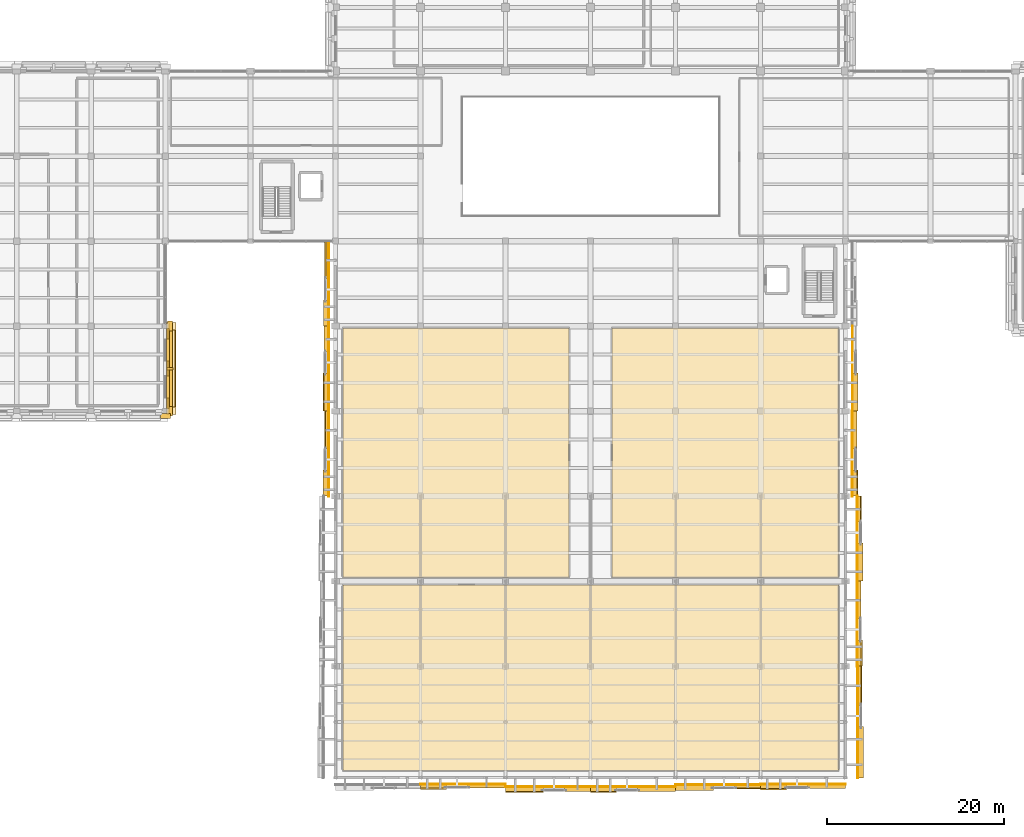
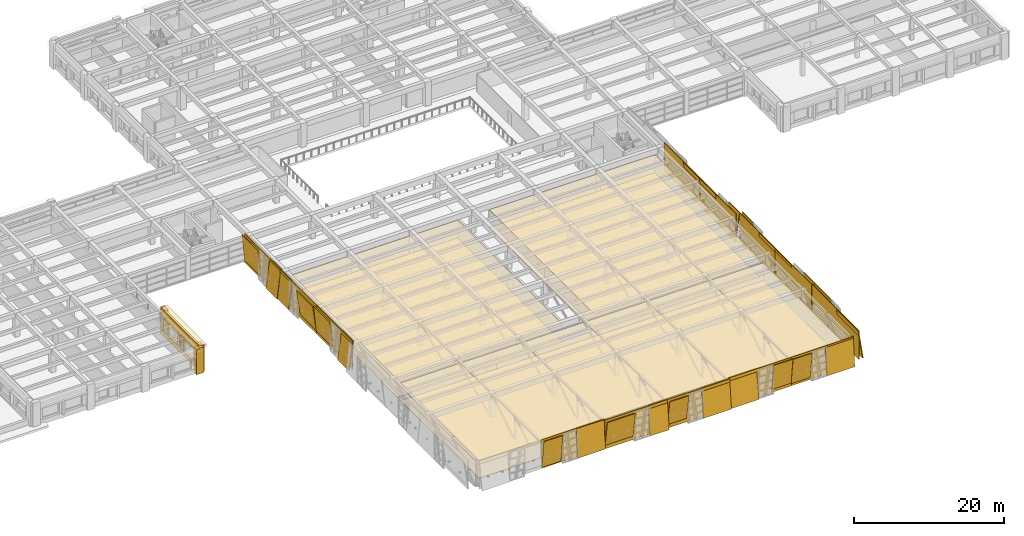
# One storey, part 53 of 62: 55 coverings, 1 shading device.
"""IFC4 building model written with IfcOpenShell, lengths in metres."""

from ifc_helpers import new_model, si_unit, direction, frame, origin, origin_2d, place, context, subcontext, project, spatial, polyline, rectangle, outline, extrude, material, layer, layer_set, type_object, element, save


model = new_model("IFC4")

# Units and contexts
model_context = context("Model", 3, precision=1e-05, world=origin(), true_north=direction((0.0, 1.0)))
body_context = subcontext(model_context, "Body", "Model", "MODEL_VIEW")
ifc_project = project(units=[si_unit("LENGTHUNIT", "METRE"), si_unit("AREAUNIT", "SQUARE_METRE"), si_unit("VOLUMEUNIT", "CUBIC_METRE"), si_unit("PLANEANGLEUNIT", "RADIAN"), si_unit("MASSUNIT", "GRAM", prefix="KILO")], contexts=[model_context])

# Site, building, storey
site_placement = place(None, origin())
site = spatial("IfcSite", under=ifc_project, at=site_placement, CompositionType="ELEMENT")
building_placement = place(site_placement, origin())
building = spatial("IfcBuilding", under=site, at=building_placement, Name="Bempovik Park Faculty of Sciences", CompositionType="ELEMENT")
storey_placement = place(building_placement, frame((0.0, 0.0, 9.89990234375)))
storey = spatial("IfcBuildingStorey", under=building, at=storey_placement, Name="L02", CompositionType="ELEMENT", Elevation=9.89990234375)

# Coverings
ifc_material_1 = material(Name="Acoustic mineral ceiling tile")
ifc_layer_1 = layer(ifc_material_1, 0.0400390625)
ifc_layer_set_1 = layer_set([ifc_layer_1], Name="Acoustic mineral ceiling tile")
covering_type_1 = type_object("IfcCoveringType", Name="CE-01 Acoustic Ceiling 40mm", PredefinedType="CEILING", material=ifc_layer_set_1)
covering_1_placement = place(storey_placement, frame((0.0, 0.0, 2.880126953125)))
element("IfcCovering", 1, at=covering_1_placement, inside=storey, type_object=covering_type_1, Name="L02 Cantilevered Park-View Learning Commons Acoustic Ceiling", PredefinedType="CEILING", context=body_context, shape_type="SweptSolid", body=[
    extrude(outline(polyline([(60.830078125, 8.030029296875), (116.77001953125, 8.030029296875), (116.77001953125, 28.969970703125), (60.830078125, 28.969970703125), (60.830078125, 8.030029296875)])), origin(), (0.0, 0.0, 1.0), 0.0400390625),
])
covering_2_placement = place(storey_placement, frame((0.0, 0.0, 2.880126953125)))
element("IfcCovering", 2, at=covering_2_placement, inside=storey, type_object=covering_type_1, Name="L02 Digital Science Reading Commons West Acoustic Ceiling", PredefinedType="CEILING", context=body_context, shape_type="SweptSolid", body=[
    extrude(outline(polyline([(60.830078125, 29.830078125), (86.3701171875, 29.830078125), (86.3701171875, 57.969970703125), (60.830078125, 57.969970703125), (60.830078125, 29.830078125)])), origin(), (0.0, 0.0, 1.0), 0.0400390625),
])
covering_3_placement = place(storey_placement, frame((0.0, 0.0, 2.880126953125)))
element("IfcCovering", 3, at=covering_3_placement, inside=storey, type_object=covering_type_1, Name="L02 Collaborative Study Commons East Acoustic Ceiling", PredefinedType="CEILING", context=body_context, shape_type="SweptSolid", body=[
    extrude(outline(polyline([(91.22998046875, 29.830078125), (116.77001953125, 29.830078125), (116.77001953125, 57.969970703125), (91.22998046875, 57.969970703125), (91.22998046875, 29.830078125)])), origin(), (0.0, 0.0, 1.0), 0.0400390625),
])
ifc_material_2 = material(Name="White reconstituted limestone precast C40/50", Category="masonry")
ifc_layer_2 = layer(ifc_material_2, 0.1201171875)
ifc_layer_set_2 = layer_set([ifc_layer_2], Name="White reconstituted limestone precast C40/50")
covering_type_2 = type_object("IfcCoveringType", Name="CL-01 Crystal Limestone Facet 120mm", PredefinedType="CLADDING", material=ifc_layer_set_2)
covering_4_placement = place(storey_placement, frame((118.96044921875, 13.5, -0.419921875), z_axis=(0.0, 0.0, 1.0), x_axis=(1.0, 0.0, 0.0)))
element("IfcCovering", 4, at=covering_4_placement, inside=storey, type_object=covering_type_2, Name="L02 White Crystal Seam Backing 1176-72", PredefinedType="CLADDING", context=body_context, shape_type="SweptSolid", body=[
    extrude(rectangle(XDim=0.10009765625, YDim=12.679931640625, at=origin_2d()), origin(), (0.0, 0.0, 1.0), 4.659912109375),
])
covering_5_placement = place(storey_placement, frame((119.540771484375, 10.097412109375, -0.394775390625), z_axis=(-0.146083028562, 0.0, 0.989272332963), x_axis=(0.0, 1.0, 0.0)))
element("IfcCovering", 5, at=covering_5_placement, inside=storey, type_object=covering_type_2, Name="L02 Tilted Crystal Limestone Facet FAC-CRYS-L02-1176-72", PredefinedType="CLADDING", context=body_context, shape_type="SweptSolid", body=[
    extrude(rectangle(XDim=5.794921875, YDim=0.139892578125, at=origin_2d()), origin(), (0.0, 0.0, 1.0), 4.659912109375),
])
covering_6_placement = place(storey_placement, frame((118.884765625, 17.577392578125, -0.40576171875), z_axis=(0.109734311091, 0.0, 0.993960955455), x_axis=(0.0, 1.0, 0.0)))
element("IfcCovering", 6, at=covering_6_placement, inside=storey, type_object=covering_type_2, Name="L02 Counter-Tilted Crystal Facet FAC-CRYS-L02-1176-72-R", PredefinedType="CLADDING", context=body_context, shape_type="SweptSolid", body=[
    extrude(rectangle(XDim=4.445068359375, YDim=0.139892578125, at=origin_2d()), origin(), (0.0, 0.0, 1.0), 4.659912109375),
])
covering_7_placement = place(storey_placement, frame((118.89599609375, 24.60009765625, -0.419921875), z_axis=(0.0, 0.0, 1.0), x_axis=(1.0, 0.0, 0.0)))
element("IfcCovering", 7, at=covering_7_placement, inside=storey, type_object=covering_type_2, Name="L02 White Crystal Seam Backing 1176-198", PredefinedType="CLADDING", context=body_context, shape_type="SweptSolid", body=[
    extrude(rectangle(XDim=0.10009765625, YDim=9.679931640625, at=origin_2d()), origin(), (0.0, 0.0, 1.0), 4.659912109375),
])
covering_8_placement = place(storey_placement, frame((118.860107421875, 21.2724609375, -0.4033203125), z_axis=(0.118403968307, 0.0, 0.992965508107), x_axis=(0.0, 1.0, 0.0)))
element("IfcCovering", 8, at=covering_8_placement, inside=storey, type_object=covering_type_2, Name="L02 Tilted Crystal Limestone Facet FAC-CRYS-L02-1176-198", PredefinedType="CLADDING", context=body_context, shape_type="SweptSolid", body=[
    extrude(rectangle(XDim=2.945068359375, YDim=0.139892578125, at=origin_2d()), origin(), (0.0, 0.0, 1.0), 4.659912109375),
])
covering_9_placement = place(storey_placement, frame((119.282958984375, 27.25244140625, -0.41064453125), z_axis=(-0.088894296866, 0.0, 0.996041065411), x_axis=(0.0, 1.0, 0.0)))
element("IfcCovering", 9, at=covering_9_placement, inside=storey, type_object=covering_type_2, Name="L02 Counter-Tilted Crystal Facet FAC-CRYS-L02-1176-198-R", PredefinedType="CLADDING", context=body_context, shape_type="SweptSolid", body=[
    extrude(rectangle(XDim=4.294921875, YDim=0.139892578125, at=origin_2d()), origin(), (0.0, 0.0, 1.0), 4.659912109375),
])
covering_10_placement = place(storey_placement, frame((118.92822265625, 34.199951171875, -0.419921875), z_axis=(0.0, 0.0, 1.0), x_axis=(1.0, 0.0, 0.0)))
element("IfcCovering", 10, at=covering_10_placement, inside=storey, type_object=covering_type_2, Name="L02 White Crystal Seam Backing 1176-294", PredefinedType="CLADDING", context=body_context, shape_type="SweptSolid", body=[
    extrude(rectangle(XDim=0.10009765625, YDim=9.679931640625, at=origin_2d()), origin(), (0.0, 0.0, 1.0), 4.659912109375),
])
covering_11_placement = place(storey_placement, frame((119.476318359375, 31.547607421875, -0.3994140625), z_axis=(-0.132256390257, 0.0, 0.991215540252), x_axis=(0.0, 1.0, 0.0)))
element("IfcCovering", 11, at=covering_11_placement, inside=storey, type_object=covering_type_2, Name="L02 Tilted Crystal Limestone Facet FAC-CRYS-L02-1176-294", PredefinedType="CLADDING", context=body_context, shape_type="SweptSolid", body=[
    extrude(rectangle(XDim=4.294921875, YDim=0.139892578125, at=origin_2d()), origin(), (0.0, 0.0, 1.0), 4.659912109375),
])
covering_12_placement = place(storey_placement, frame((118.876708984375, 37.527587890625, -0.408203125), z_axis=(0.099319749744, 0.0, 0.995055569961), x_axis=(0.0, 1.0, 0.0)))
element("IfcCovering", 12, at=covering_12_placement, inside=storey, type_object=covering_type_2, Name="L02 Counter-Tilted Crystal Facet FAC-CRYS-L02-1176-294-R", PredefinedType="CLADDING", context=body_context, shape_type="SweptSolid", body=[
    extrude(rectangle(XDim=2.945068359375, YDim=0.139892578125, at=origin_2d()), origin(), (0.0, 0.0, 1.0), 4.659912109375),
])
covering_13_placement = place(storey_placement, frame((118.3642578125, 43.800048828125, -0.419921875), z_axis=(0.0, 0.0, 1.0), x_axis=(1.0, 0.0, 0.0)))
element("IfcCovering", 13, at=covering_13_placement, inside=storey, type_object=covering_type_2, Name="L02 White Crystal Seam Backing 1176-390", PredefinedType="CLADDING", context=body_context, shape_type="SweptSolid", body=[
    extrude(rectangle(XDim=0.10009765625, YDim=9.679931640625, at=origin_2d()), origin(), (0.0, 0.0, 1.0), 4.659912109375),
])
covering_14_placement = place(storey_placement, frame((118.280029296875, 40.472412109375, -0.397216796875), z_axis=(0.13917310096, 0.0, 0.990268068742), x_axis=(0.0, 1.0, 0.0)))
element("IfcCovering", 14, at=covering_14_placement, inside=storey, type_object=covering_type_2, Name="L02 Tilted Crystal Limestone Facet FAC-CRYS-L02-1176-390", PredefinedType="CLADDING", context=body_context, shape_type="SweptSolid", body=[
    extrude(rectangle(XDim=2.945068359375, YDim=0.139892578125, at=origin_2d()), origin(), (0.0, 0.0, 1.0), 4.659912109375),
])
covering_15_placement = place(storey_placement, frame((118.787841796875, 46.452392578125, -0.406982421875), z_axis=(-0.104528463268, 0.0, 0.994521895368), x_axis=(0.0, 1.0, 0.0)))
element("IfcCovering", 15, at=covering_15_placement, inside=storey, type_object=covering_type_2, Name="L02 Counter-Tilted Crystal Facet FAC-CRYS-L02-1176-390-R", PredefinedType="CLADDING", context=body_context, shape_type="SweptSolid", body=[
    extrude(rectangle(XDim=4.294921875, YDim=0.139892578125, at=origin_2d()), origin(), (0.0, 0.0, 1.0), 4.659912109375),
])
covering_16_placement = place(storey_placement, frame((118.372314453125, 53.39990234375, -0.419921875), z_axis=(0.0, 0.0, 1.0), x_axis=(1.0, 0.0, 0.0)))
element("IfcCovering", 16, at=covering_16_placement, inside=storey, type_object=covering_type_2, Name="L02 White Crystal Seam Backing 1176-486", PredefinedType="CLADDING", context=body_context, shape_type="SweptSolid", body=[
    extrude(rectangle(XDim=0.10009765625, YDim=9.679931640625, at=origin_2d()), origin(), (0.0, 0.0, 1.0), 4.659912109375),
])
covering_17_placement = place(storey_placement, frame((118.944580078125, 50.74755859375, -0.39599609375), z_axis=(-0.142628933706, 0.0, 0.989776230908), x_axis=(0.0, 1.0, 0.0)))
element("IfcCovering", 17, at=covering_17_placement, inside=storey, type_object=covering_type_2, Name="L02 Tilted Crystal Limestone Facet FAC-CRYS-L02-1176-486", PredefinedType="CLADDING", context=body_context, shape_type="SweptSolid", body=[
    extrude(rectangle(XDim=4.294921875, YDim=0.139892578125, at=origin_2d()), origin(), (0.0, 0.0, 1.0), 4.659912109375),
])
covering_18_placement = place(storey_placement, frame((74.39990234375, 6.484130859375, -0.419921875), z_axis=(0.0, 0.0, 1.0), x_axis=(1.0, 0.0, 0.0)))
element("IfcCovering", 18, at=covering_18_placement, inside=storey, type_object=covering_type_2, Name="L02 White Crystal Seam Backing 72-696", PredefinedType="CLADDING", context=body_context, shape_type="SweptSolid", body=[
    extrude(rectangle(XDim=9.679931640625, YDim=0.10009765625, at=origin_2d()), origin(), (0.0, 0.0, 1.0), 4.659912109375),
])
covering_19_placement = place(storey_placement, frame((71.072509765625, 6.52001953125, -0.4033203125), z_axis=(0.0, -0.118403968307, 0.992965508107), x_axis=(1.0, 0.0, 0.0)))
element("IfcCovering", 19, at=covering_19_placement, inside=storey, type_object=covering_type_2, Name="L02 Tilted Crystal Limestone Facet FAC-CRYS-L02-72-696", PredefinedType="CLADDING", context=body_context, shape_type="SweptSolid", body=[
    extrude(rectangle(XDim=2.945068359375, YDim=0.139892578125, at=origin_2d()), origin(), (0.0, 0.0, 1.0), 4.659912109375),
])
covering_20_placement = place(storey_placement, frame((77.052490234375, 6.09716796875, -0.41064453125), z_axis=(0.0, 0.088894296866, 0.996041065411), x_axis=(1.0, 0.0, 0.0)))
element("IfcCovering", 20, at=covering_20_placement, inside=storey, type_object=covering_type_2, Name="L02 Counter-Tilted Crystal Facet FAC-CRYS-L02-72-696-R", PredefinedType="CLADDING", context=body_context, shape_type="SweptSolid", body=[
    extrude(rectangle(XDim=4.294921875, YDim=0.139892578125, at=origin_2d()), origin(), (0.0, 0.0, 1.0), 4.659912109375),
])
covering_21_placement = place(storey_placement, frame((84.0, 6.1796875, -0.419921875), z_axis=(0.0, 0.0, 1.0), x_axis=(1.0, 0.0, 0.0)))
element("IfcCovering", 21, at=covering_21_placement, inside=storey, type_object=covering_type_2, Name="L02 White Crystal Seam Backing 72-792", PredefinedType="CLADDING", context=body_context, shape_type="SweptSolid", body=[
    extrude(rectangle(XDim=9.679931640625, YDim=0.10009765625, at=origin_2d()), origin(), (0.0, 0.0, 1.0), 4.659912109375),
])
covering_22_placement = place(storey_placement, frame((81.347412109375, 6.280029296875, -0.394775390625), z_axis=(0.0, -0.146083028562, 0.989272332963), x_axis=(1.0, 0.0, 0.0)))
element("IfcCovering", 22, at=covering_22_placement, inside=storey, type_object=covering_type_2, Name="L02 Tilted Crystal Limestone Facet FAC-CRYS-L02-72-792", PredefinedType="CLADDING", context=body_context, shape_type="SweptSolid", body=[
    extrude(rectangle(XDim=4.294921875, YDim=0.139892578125, at=origin_2d()), origin(), (0.0, 0.0, 1.0), 4.659912109375),
])
covering_23_placement = place(storey_placement, frame((87.327392578125, 5.743896484375, -0.40576171875), z_axis=(0.0, 0.109734311091, 0.993960955455), x_axis=(1.0, 0.0, 0.0)))
element("IfcCovering", 23, at=covering_23_placement, inside=storey, type_object=covering_type_2, Name="L02 Counter-Tilted Crystal Facet FAC-CRYS-L02-72-792-R", PredefinedType="CLADDING", context=body_context, shape_type="SweptSolid", body=[
    extrude(rectangle(XDim=2.945068359375, YDim=0.139892578125, at=origin_2d()), origin(), (0.0, 0.0, 1.0), 4.659912109375),
])
covering_24_placement = place(storey_placement, frame((93.60009765625, 6.1796875, -0.419921875), z_axis=(0.0, 0.0, 1.0), x_axis=(1.0, 0.0, 0.0)))
element("IfcCovering", 24, at=covering_24_placement, inside=storey, type_object=covering_type_2, Name="L02 White Crystal Seam Backing 72-888", PredefinedType="CLADDING", context=body_context, shape_type="SweptSolid", body=[
    extrude(rectangle(XDim=9.679931640625, YDim=0.10009765625, at=origin_2d()), origin(), (0.0, 0.0, 1.0), 4.659912109375),
])
covering_25_placement = place(storey_placement, frame((90.2724609375, 6.280029296875, -0.394775390625), z_axis=(0.0, -0.146083028562, 0.989272332963), x_axis=(1.0, 0.0, 0.0)))
element("IfcCovering", 25, at=covering_25_placement, inside=storey, type_object=covering_type_2, Name="L02 Tilted Crystal Limestone Facet FAC-CRYS-L02-72-888", PredefinedType="CLADDING", context=body_context, shape_type="SweptSolid", body=[
    extrude(rectangle(XDim=2.945068359375, YDim=0.139892578125, at=origin_2d()), origin(), (0.0, 0.0, 1.0), 4.659912109375),
])
covering_26_placement = place(storey_placement, frame((96.25244140625, 5.743896484375, -0.40576171875), z_axis=(0.0, 0.109734311091, 0.993960955455), x_axis=(1.0, 0.0, 0.0)))
element("IfcCovering", 26, at=covering_26_placement, inside=storey, type_object=covering_type_2, Name="L02 Counter-Tilted Crystal Facet FAC-CRYS-L02-72-888-R", PredefinedType="CLADDING", context=body_context, shape_type="SweptSolid", body=[
    extrude(rectangle(XDim=4.294921875, YDim=0.139892578125, at=origin_2d()), origin(), (0.0, 0.0, 1.0), 4.659912109375),
])
covering_27_placement = place(storey_placement, frame((103.199951171875, 6.427734375, -0.419921875), z_axis=(0.0, 0.0, 1.0), x_axis=(1.0, 0.0, 0.0)))
element("IfcCovering", 27, at=covering_27_placement, inside=storey, type_object=covering_type_2, Name="L02 White Crystal Seam Backing 72-984", PredefinedType="CLADDING", context=body_context, shape_type="SweptSolid", body=[
    extrude(rectangle(XDim=9.679931640625, YDim=0.10009765625, at=origin_2d()), origin(), (0.0, 0.0, 1.0), 4.659912109375),
])
covering_28_placement = place(storey_placement, frame((100.547607421875, 5.85546875, -0.39599609375), z_axis=(0.0, 0.142628933706, 0.989776230908), x_axis=(1.0, 0.0, 0.0)))
element("IfcCovering", 28, at=covering_28_placement, inside=storey, type_object=covering_type_2, Name="L02 Tilted Crystal Limestone Facet FAC-CRYS-L02-72-984", PredefinedType="CLADDING", context=body_context, shape_type="SweptSolid", body=[
    extrude(rectangle(XDim=4.294921875, YDim=0.139892578125, at=origin_2d()), origin(), (0.0, 0.0, 1.0), 4.659912109375),
])
covering_29_placement = place(storey_placement, frame((106.527587890625, 6.497314453125, -0.406494140625), z_axis=(0.0, -0.107131754314, 0.994244832633), x_axis=(1.0, 0.0, 0.0)))
element("IfcCovering", 29, at=covering_29_placement, inside=storey, type_object=covering_type_2, Name="L02 Counter-Tilted Crystal Facet FAC-CRYS-L02-72-984-R", PredefinedType="CLADDING", context=body_context, shape_type="SweptSolid", body=[
    extrude(rectangle(XDim=2.945068359375, YDim=0.139892578125, at=origin_2d()), origin(), (0.0, 0.0, 1.0), 4.659912109375),
])
covering_30_placement = place(storey_placement, frame((112.800048828125, 6.4599609375, -0.419921875), z_axis=(0.0, 0.0, 1.0), x_axis=(1.0, 0.0, 0.0)))
element("IfcCovering", 30, at=covering_30_placement, inside=storey, type_object=covering_type_2, Name="L02 White Crystal Seam Backing 72-1080", PredefinedType="CLADDING", context=body_context, shape_type="SweptSolid", body=[
    extrude(rectangle(XDim=9.679931640625, YDim=0.10009765625, at=origin_2d()), origin(), (0.0, 0.0, 1.0), 4.659912109375),
])
covering_31_placement = place(storey_placement, frame((109.472412109375, 6.52001953125, -0.400390625), z_axis=(0.0, -0.128795596578, 0.991671162383), x_axis=(1.0, 0.0, 0.0)))
element("IfcCovering", 31, at=covering_31_placement, inside=storey, type_object=covering_type_2, Name="L02 Tilted Crystal Limestone Facet FAC-CRYS-L02-72-1080", PredefinedType="CLADDING", context=body_context, shape_type="SweptSolid", body=[
    extrude(rectangle(XDim=2.945068359375, YDim=0.139892578125, at=origin_2d()), origin(), (0.0, 0.0, 1.0), 4.659912109375),
])
covering_32_placement = place(storey_placement, frame((115.452392578125, 6.054443359375, -0.408935546875), z_axis=(0.0, 0.096714362966, 0.995312178161), x_axis=(1.0, 0.0, 0.0)))
element("IfcCovering", 32, at=covering_32_placement, inside=storey, type_object=covering_type_2, Name="L02 Counter-Tilted Crystal Facet FAC-CRYS-L02-72-1080-R", PredefinedType="CLADDING", context=body_context, shape_type="SweptSolid", body=[
    extrude(rectangle(XDim=4.294921875, YDim=0.139892578125, at=origin_2d()), origin(), (0.0, 0.0, 1.0), 4.659912109375),
])
covering_33_placement = place(storey_placement, frame((59.235595703125, 43.800048828125, -0.419921875), z_axis=(0.0, 0.0, 1.0), x_axis=(1.0, 0.0, 0.0)))
element("IfcCovering", 33, at=covering_33_placement, inside=storey, type_object=covering_type_2, Name="L02 White Crystal Seam Backing 600-390", PredefinedType="CLADDING", context=body_context, shape_type="SweptSolid", body=[
    extrude(rectangle(XDim=0.10009765625, YDim=9.679931640625, at=origin_2d()), origin(), (0.0, 0.0, 1.0), 4.659912109375),
])
covering_34_placement = place(storey_placement, frame((58.67138671875, 40.472412109375, -0.397216796875), z_axis=(0.13917310096, 0.0, 0.990268068742), x_axis=(0.0, 1.0, 0.0)))
element("IfcCovering", 34, at=covering_34_placement, inside=storey, type_object=covering_type_2, Name="L02 Tilted Crystal Limestone Facet FAC-CRYS-L02-600-390", PredefinedType="CLADDING", context=body_context, shape_type="SweptSolid", body=[
    extrude(rectangle(XDim=2.945068359375, YDim=0.139892578125, at=origin_2d()), origin(), (0.0, 0.0, 1.0), 4.659912109375),
])
covering_35_placement = place(storey_placement, frame((59.29931640625, 46.452392578125, -0.406982421875), z_axis=(-0.104528463268, 0.0, 0.994521895368), x_axis=(0.0, 1.0, 0.0)))
element("IfcCovering", 35, at=covering_35_placement, inside=storey, type_object=covering_type_2, Name="L02 Counter-Tilted Crystal Facet FAC-CRYS-L02-600-390-R", PredefinedType="CLADDING", context=body_context, shape_type="SweptSolid", body=[
    extrude(rectangle(XDim=4.294921875, YDim=0.139892578125, at=origin_2d()), origin(), (0.0, 0.0, 1.0), 4.659912109375),
])
covering_36_placement = place(storey_placement, frame((59.227783203125, 53.39990234375, -0.419921875), z_axis=(0.0, 0.0, 1.0), x_axis=(1.0, 0.0, 0.0)))
element("IfcCovering", 36, at=covering_36_placement, inside=storey, type_object=covering_type_2, Name="L02 White Crystal Seam Backing 600-486", PredefinedType="CLADDING", context=body_context, shape_type="SweptSolid", body=[
    extrude(rectangle(XDim=0.10009765625, YDim=9.679931640625, at=origin_2d()), origin(), (0.0, 0.0, 1.0), 4.659912109375),
])
covering_37_placement = place(storey_placement, frame((59.320068359375, 50.74755859375, -0.39599609375), z_axis=(-0.142628933706, 0.0, 0.989776230908), x_axis=(0.0, 1.0, 0.0)))
element("IfcCovering", 37, at=covering_37_placement, inside=storey, type_object=covering_type_2, Name="L02 Tilted Crystal Limestone Facet FAC-CRYS-L02-600-486", PredefinedType="CLADDING", context=body_context, shape_type="SweptSolid", body=[
    extrude(rectangle(XDim=4.294921875, YDim=0.139892578125, at=origin_2d()), origin(), (0.0, 0.0, 1.0), 4.659912109375),
])
covering_38_placement = place(storey_placement, frame((58.798095703125, 56.7275390625, -0.406494140625), z_axis=(0.107131754314, 0.0, 0.994244832633), x_axis=(0.0, 1.0, 0.0)))
element("IfcCovering", 38, at=covering_38_placement, inside=storey, type_object=covering_type_2, Name="L02 Counter-Tilted Crystal Facet FAC-CRYS-L02-600-486-R", PredefinedType="CLADDING", context=body_context, shape_type="SweptSolid", body=[
    extrude(rectangle(XDim=2.945068359375, YDim=0.139892578125, at=origin_2d()), origin(), (0.0, 0.0, 1.0), 4.659912109375),
])
covering_39_placement = place(storey_placement, frame((59.260009765625, 63.0, -0.419921875), z_axis=(0.0, 0.0, 1.0), x_axis=(1.0, 0.0, 0.0)))
element("IfcCovering", 39, at=covering_39_placement, inside=storey, type_object=covering_type_2, Name="L02 White Crystal Seam Backing 600-582", PredefinedType="CLADDING", context=body_context, shape_type="SweptSolid", body=[
    extrude(rectangle(XDim=0.10009765625, YDim=9.679931640625, at=origin_2d()), origin(), (0.0, 0.0, 1.0), 4.659912109375),
])
covering_40_placement = place(storey_placement, frame((58.719970703125, 59.672607421875, -0.400390625), z_axis=(0.128795596578, 0.0, 0.991671162383), x_axis=(0.0, 1.0, 0.0)))
element("IfcCovering", 40, at=covering_40_placement, inside=storey, type_object=covering_type_2, Name="L02 Tilted Crystal Limestone Facet FAC-CRYS-L02-600-582", PredefinedType="CLADDING", context=body_context, shape_type="SweptSolid", body=[
    extrude(rectangle(XDim=2.945068359375, YDim=0.139892578125, at=origin_2d()), origin(), (0.0, 0.0, 1.0), 4.659912109375),
])
covering_41_placement = place(storey_placement, frame((59.30517578125, 65.652587890625, -0.408935546875), z_axis=(-0.096714362966, 0.0, 0.995312178161), x_axis=(0.0, 1.0, 0.0)))
element("IfcCovering", 41, at=covering_41_placement, inside=storey, type_object=covering_type_2, Name="L02 Counter-Tilted Crystal Facet FAC-CRYS-L02-600-582-R", PredefinedType="CLADDING", context=body_context, shape_type="SweptSolid", body=[
    extrude(rectangle(XDim=4.294921875, YDim=0.139892578125, at=origin_2d()), origin(), (0.0, 0.0, 1.0), 4.659912109375),
])
ifc_material_3 = material(Name="Precast concrete C40/50", Category="concrete")
ifc_layer_3 = layer(ifc_material_3, 0.179931640625)
ifc_layer_set_3 = layer_set([ifc_layer_3], Name="Precast concrete C40/50")
covering_type_3 = type_object("IfcCoveringType", Name="CL-02 Classical Cornice Band 180mm", PredefinedType="CLADDING", material=ifc_layer_set_3)
covering_42_placement = place(storey_placement, frame((41.465087890625, 53.39990234375, 3.83984375), z_axis=(0.0, 0.0, 1.0), x_axis=(1.0, 0.0, 0.0)))
element("IfcCovering", 42, at=covering_42_placement, inside=storey, type_object=covering_type_3, Name="L02 Classical Projecting Dentil Cornice EW-L02-7348", PredefinedType="CLADDING", context=body_context, shape_type="SweptSolid", body=[
    extrude(rectangle(XDim=1.050048828125, YDim=10.406005859375, at=origin_2d()), origin(), (0.0, 0.0, 1.0), 0.360107421875),
])
covering_43_placement = place(storey_placement, frame((41.39990234375, 53.39990234375, 2.91015625), z_axis=(0.0, 0.0, 1.0), x_axis=(1.0, 0.0, 0.0)))
element("IfcCovering", 43, at=covering_43_placement, inside=storey, type_object=covering_type_3, Name="L02 Classical Stone Solar Window Hood EW-L02-7348", PredefinedType="CLADDING", context=body_context, shape_type="SweptSolid", body=[
    extrude(rectangle(XDim=0.919921875, YDim=8.7060546875, at=origin_2d()), origin(), (0.0, 0.0, 1.0), 0.219970703125),
])
ifc_layer_4 = layer(ifc_material_2, 0.239990234375)
ifc_layer_set_4 = layer_set([ifc_layer_4], Name="White reconstituted limestone precast C40/50")
covering_type_4 = type_object("IfcCoveringType", Name="CL-03 Classical Fluted Limestone Pilaster 240mm", PredefinedType="CLADDING", material=ifc_layer_set_4)
covering_44_placement = place(storey_placement, frame((41.110107421875, 53.39990234375, 2.919921875), z_axis=(0.0, 0.0, 1.0), x_axis=(1.0, 0.0, 0.0)))
element("IfcCovering", 44, at=covering_44_placement, inside=storey, type_object=covering_type_4, Name="L02 Classical Limestone Spandrel Entablature EW-L02-7348", PredefinedType="CLADDING", context=body_context, shape_type="SweptSolid", body=[
    extrude(rectangle(XDim=0.340087890625, YDim=10.406005859375, at=origin_2d()), origin(), (0.0, 0.0, 1.0), 1.280029296875),
])
covering_45_placement = place(storey_placement, frame((41.110107421875, 53.39990234375, 0.0), z_axis=(0.0, 0.0, 1.0), x_axis=(1.0, 0.0, 0.0)))
element("IfcCovering", 45, at=covering_45_placement, inside=storey, type_object=covering_type_4, Name="L02 Classical Limestone Sill Dado EW-L02-7348", PredefinedType="CLADDING", context=body_context, shape_type="SweptSolid", body=[
    extrude(rectangle(XDim=0.340087890625, YDim=10.406005859375, at=origin_2d()), origin(), (0.0, 0.0, 1.0), 0.780029296875),
])
for number, where, z_axis, x_axis, name in (
    (46, (41.330078125, 48.60009765625, 0.0), (0.0, 0.0, 1.0), (1.0, 0.0, 0.0), "L02 Classical Fluted Stone Pilaster PIL-BA-L02-413-486"),
    (47, (41.330078125, 58.199951171875, 0.0), (0.0, 0.0, 1.0), (1.0, 0.0, 0.0), "L02 Classical Fluted Stone Pilaster PIL-BA-L02-413-582"),
):
    element("IfcCovering", number, at=place(storey_placement, frame(where, z_axis=z_axis, x_axis=x_axis)), inside=storey, type_object=covering_type_4, Name=name, PredefinedType="CLADDING", context=body_context, shape_type="SweptSolid", body=[
        extrude(rectangle(XDim=0.580078125, YDim=1.10009765625, at=origin_2d()), origin(), (0.0, 0.0, 1.0), 4.199951171875),
    ])
covering_46_placement = place(storey_placement, frame((41.10009765625, 49.474609375, 0.0), z_axis=(0.0, 0.0, 1.0), x_axis=(1.0, 0.0, 0.0)))
element("IfcCovering", 48, at=covering_46_placement, inside=storey, type_object=covering_type_4, Name="L02 White Limestone Wall Cheek EW-L02-7348-0", PredefinedType="CLADDING", context=body_context, shape_type="SweptSolid", body=[
    extrude(rectangle(XDim=0.239990234375, YDim=1.205078125, at=origin_2d()), origin(), (0.0, 0.0, 1.0), 3.080078125),
])
covering_47_placement = place(storey_placement, frame((41.10009765625, 53.39990234375, 0.0), z_axis=(0.0, 0.0, 1.0), x_axis=(1.0, 0.0, 0.0)))
element("IfcCovering", 49, at=covering_47_placement, inside=storey, type_object=covering_type_4, Name="L02 White Limestone Wall Cheek EW-L02-7348-2", PredefinedType="CLADDING", context=body_context, shape_type="SweptSolid", body=[
    extrude(rectangle(XDim=0.239990234375, YDim=1.685791015625, at=origin_2d()), origin(), (0.0, 0.0, 1.0), 3.080078125),
])
covering_48_placement = place(storey_placement, frame((41.10009765625, 57.325439453125, 0.0), z_axis=(0.0, 0.0, 1.0), x_axis=(1.0, 0.0, 0.0)))
element("IfcCovering", 50, at=covering_48_placement, inside=storey, type_object=covering_type_4, Name="L02 White Limestone Wall Cheek EW-L02-7348-4", PredefinedType="CLADDING", context=body_context, shape_type="SweptSolid", body=[
    extrude(rectangle(XDim=0.239990234375, YDim=1.205078125, at=origin_2d()), origin(), (0.0, 0.0, 1.0), 3.080078125),
])
covering_49_placement = place(storey_placement, frame((41.31005859375, 53.39990234375, 0.7001953125), z_axis=(0.0, 0.0, 1.0), x_axis=(1.0, 0.0, 0.0)))
element("IfcCovering", 51, at=covering_49_placement, inside=storey, type_object=covering_type_4, Name="L02 Classical Vertical Stone Shading Fin EW-L02-7348", PredefinedType="CLADDING", context=body_context, shape_type="SweptSolid", body=[
    extrude(rectangle(XDim=0.719970703125, YDim=0.280029296875, at=origin_2d()), origin(), (0.0, 0.0, 1.0), 2.25),
])
covering_50_placement = place(storey_placement, frame((40.800048828125, 48.070068359375, 0.0), z_axis=(0.0, 0.0, 1.0), x_axis=(1.0, 0.0, 0.0)))
element("IfcCovering", 52, at=covering_50_placement, inside=storey, type_object=covering_type_4, Name="L02 Classical Fluted Stone Pilaster PIL-BA-L02-408-481", PredefinedType="CLADDING", context=body_context, shape_type="SweptSolid", body=[
    extrude(rectangle(XDim=1.10009765625, YDim=0.580078125, at=origin_2d()), origin(), (0.0, 0.0, 1.0), 4.199951171875),
])
ifc_material_4 = material(Name="Polished mineral terrazzo flooring")
ifc_layer_5 = layer(ifc_material_4, 0.030029296875)
ifc_layer_set_5 = layer_set([ifc_layer_5], Name="Polished mineral terrazzo flooring")
covering_type_5 = type_object("IfcCoveringType", Name="FL-01 Terrazzo Flooring 30mm", PredefinedType="FLOORING", material=ifc_layer_set_5)
covering_51_placement = place(storey_placement, origin())
element("IfcCovering", 53, at=covering_51_placement, inside=storey, type_object=covering_type_5, Name="L02 Cantilevered Park-View Learning Commons Terrazzo Flooring", PredefinedType="FLOORING", context=body_context, shape_type="SweptSolid", body=[
    extrude(outline(polyline([(60.830078125, 8.030029296875), (116.77001953125, 8.030029296875), (116.77001953125, 28.969970703125), (60.830078125, 28.969970703125), (60.830078125, 8.030029296875)])), origin(), (0.0, 0.0, 1.0), 0.030029296875),
])
covering_52_placement = place(storey_placement, origin())
element("IfcCovering", 54, at=covering_52_placement, inside=storey, type_object=covering_type_5, Name="L02 Digital Science Reading Commons West Terrazzo Flooring", PredefinedType="FLOORING", context=body_context, shape_type="SweptSolid", body=[
    extrude(outline(polyline([(60.830078125, 29.830078125), (86.3701171875, 29.830078125), (86.3701171875, 57.969970703125), (60.830078125, 57.969970703125), (60.830078125, 29.830078125)])), origin(), (0.0, 0.0, 1.0), 0.030029296875),
])
covering_53_placement = place(storey_placement, origin())
element("IfcCovering", 55, at=covering_53_placement, inside=storey, type_object=covering_type_5, Name="L02 Collaborative Study Commons East Terrazzo Flooring", PredefinedType="FLOORING", context=body_context, shape_type="SweptSolid", body=[
    extrude(outline(polyline([(91.22998046875, 29.830078125), (116.77001953125, 29.830078125), (116.77001953125, 57.969970703125), (91.22998046875, 57.969970703125), (91.22998046875, 29.830078125)])), origin(), (0.0, 0.0, 1.0), 0.030029296875),
])

# Shading device
ifc_material_5 = material(Name="Anodised architectural bronze")
ifc_layer_6 = layer(ifc_material_5, 0.06005859375)
ifc_layer_set_6 = layer_set([ifc_layer_6], Name="Anodised architectural bronze")
shading_device_type = type_object("IfcShadingDeviceType", Name="SH-01 Bronze Brise-Soleil Fin", PredefinedType="USERDEFINED", material=ifc_layer_set_6)
shading_device_placement = place(storey_placement, frame((41.280029296875, 53.39990234375, 2.85009765625), z_axis=(0.0, 0.0, 1.0), x_axis=(1.0, 0.0, 0.0)))
element("IfcShadingDevice", 56, at=shading_device_placement, inside=storey, type_object=shading_device_type, Name="L02 Equatorial Bronze Brise-Soleil EW-L02-7348", ObjectType="BRISE SOLEIL", PredefinedType="USERDEFINED", context=body_context, shape_type="SweptSolid", body=[
    extrude(rectangle(XDim=0.64990234375, YDim=8.555908203125, at=origin_2d()), origin(), (0.0, 0.0, 1.0), 0.06005859375),
])

save(model, "model.ifc")
